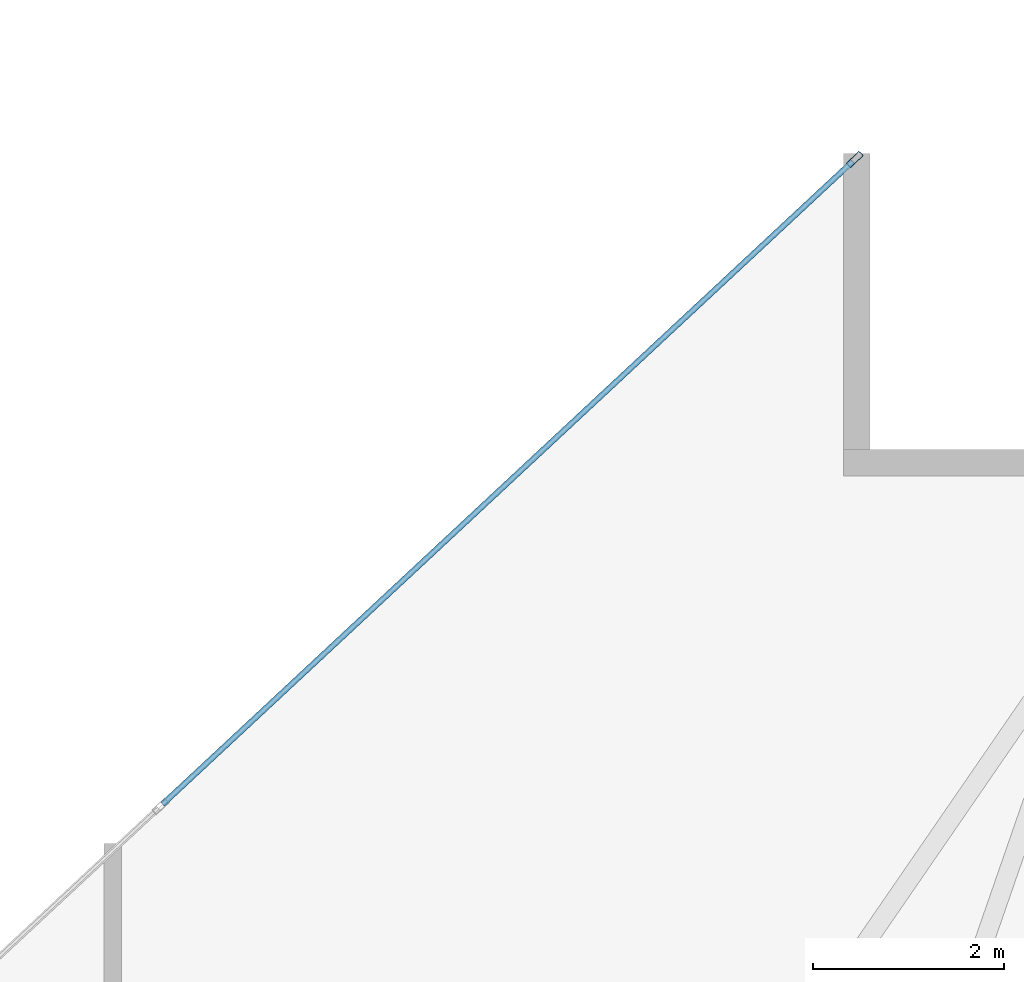
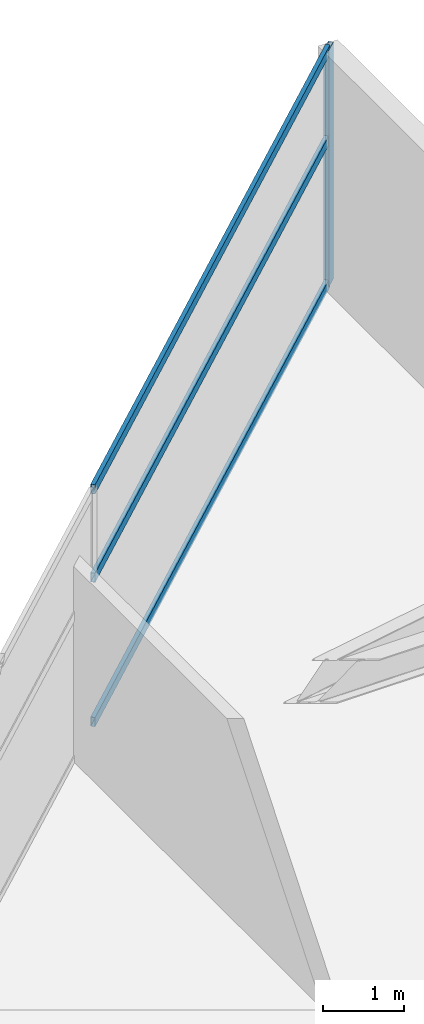
# One storey, part 20 of 27: 4 members, 1 element without a shape of its own.
"""IFC4 building model written with IfcOpenShell, lengths in metres."""

from ifc_helpers import new_model, si_unit, direction, frame, origin, origin_2d, place, context, subcontext, project, spatial, hollow_rectangle, extrude, material, layer, layer_set, material_profile, profile_set, type_object, element, aggregate, save


model = new_model("IFC4")

# Units and contexts
model_context = context("Model", 3, precision=1e-05, world=origin(), true_north=direction((0.0, 1.0)))
body_context = subcontext(model_context, "Body", "Model", "MODEL_VIEW")
ifc_project = project(units=[si_unit("LENGTHUNIT", "METRE"), si_unit("AREAUNIT", "SQUARE_METRE"), si_unit("VOLUMEUNIT", "CUBIC_METRE"), si_unit("PLANEANGLEUNIT", "RADIAN"), si_unit("MASSUNIT", "GRAM", prefix="KILO")], contexts=[model_context])

# Site, building, storey
site_placement = place(None, origin())
site = spatial("IfcSite", under=ifc_project, at=site_placement, CompositionType="ELEMENT")
building_placement = place(site_placement, origin())
building = spatial("IfcBuilding", under=site, at=building_placement, Name="Calvorn Quay Hotel", CompositionType="ELEMENT")
storey_placement = place(building_placement, frame((0.0, 0.0, 226.89990234375)))
storey = spatial("IfcBuildingStorey", under=building, at=storey_placement, Name="L56", CompositionType="ELEMENT", Elevation=226.89990234375)

# Curtain wall, members
ifc_material_1 = material(Name="Champagne Bronze Anodised Aluminium and Low-E Glass", Category="aluminium")
ifc_layer = layer(ifc_material_1, 0.219970703125)
ifc_layer_set = layer_set([ifc_layer], Name="CW-SYS-Z3")
curtain_wall_type = type_object("IfcCurtainWallType", Name="CW-SYS-Z3", PredefinedType="NOTDEFINED", material=ifc_layer_set)
curtain_wall_placement = place(storey_placement, origin())
curtain_wall = element("IfcCurtainWall", 1, at=curtain_wall_placement, inside=storey, type_object=curtain_wall_type, Name="Inner Court Curtain Wall L56-NE1", PredefinedType="NOTDEFINED")
ifc_material_2 = material(Name="Champagne Bronze Anodised Aluminium 6063-T6", Category="aluminium")
ifc_material_profile_1 = material_profile(ifc_material_2, hollow_rectangle(XDim=0.068115234375, YDim=0.18505859375, WallThickness=0.00390625, at=origin_2d()), Name="ALU-M185x68x4")
ifc_profile_set_1 = profile_set([ifc_material_profile_1], Name="Champagne Bronze Anodised Aluminium 6063-T6")
member_type_1 = type_object("IfcMemberType", Name="CW-SYS-Z3-MUL", PredefinedType="MULLION", material=ifc_profile_set_1)
member_1_placement = place(storey_placement, frame((36.177978515625, 37.9794921875, 0.0), z_axis=(0.0, 0.0, 1.0), x_axis=(0.681603655102, -0.731721570922, 0.0)))
member_1 = element("IfcMember", 2, at=member_1_placement, type_object=member_type_1, Name="CW-L56-NE1 mullion 1", PredefinedType="MULLION", context=body_context, shape_type="SweptSolid", body=[
    extrude(hollow_rectangle(XDim=0.068115234375, YDim=0.18505859375, WallThickness=0.00390625, at=origin_2d()), origin(), (0.0, 0.0, 1.0), 3.56005859375),
])
ifc_material_3 = material(Name="Champagne Bronze Anodised Aluminium 6063-T6", Category="aluminium")
ifc_material_profile_2 = material_profile(ifc_material_3, hollow_rectangle(XDim=0.05810546875, YDim=0.139892578125, WallThickness=0.003173828125, at=origin_2d()), Name="ALU-T140x58x3.2")
ifc_profile_set_2 = profile_set([ifc_material_profile_2], Name="Champagne Bronze Anodised Aluminium 6063-T6")
member_type_2 = type_object("IfcMemberType", Name="CW-SYS-Z3-TRN", PredefinedType="USERDEFINED", material=ifc_profile_set_2)
member_2_placement = place(storey_placement, frame((36.156005859375, 37.958984375, 0.030029296875), z_axis=(-0.731727475975, -0.681597315798, 0.0), x_axis=(0.681597315798, -0.731727475975, 0.0)))
member_2 = element("IfcMember", 3, at=member_2_placement, type_object=member_type_2, Name="CW-L56-NE1 transom 1.1", ObjectType="TRANSOM", PredefinedType="USERDEFINED", context=body_context, shape_type="SweptSolid", body=[
    extrude(hollow_rectangle(XDim=0.05810546875, YDim=0.139892578125, WallThickness=0.003173828125, at=origin_2d()), origin(), (0.0, 0.0, 1.0), 9.886474609375),
])
member_3_placement = place(storey_placement, frame((36.156005859375, 37.958984375, 2.2001953125), z_axis=(-0.731727475975, -0.681597315798, 0.0), x_axis=(0.681597315798, -0.731727475975, 0.0)))
member_3 = element("IfcMember", 4, at=member_3_placement, type_object=member_type_2, Name="CW-L56-NE1 transom 1.2", ObjectType="TRANSOM", PredefinedType="USERDEFINED", context=body_context, shape_type="SweptSolid", body=[
    extrude(hollow_rectangle(XDim=0.05810546875, YDim=0.139892578125, WallThickness=0.003173828125, at=origin_2d()), origin(), (0.0, 0.0, 1.0), 9.886474609375),
])
member_4_placement = place(storey_placement, frame((36.156005859375, 37.958984375, 3.530029296875), z_axis=(-0.731727475975, -0.681597315798, 0.0), x_axis=(0.681597315798, -0.731727475975, 0.0)))
member_4 = element("IfcMember", 5, at=member_4_placement, type_object=member_type_2, Name="CW-L56-NE1 transom 1.3", ObjectType="TRANSOM", PredefinedType="USERDEFINED", context=body_context, shape_type="SweptSolid", body=[
    extrude(hollow_rectangle(XDim=0.05810546875, YDim=0.139892578125, WallThickness=0.003173828125, at=origin_2d()), origin(), (0.0, 0.0, 1.0), 9.886474609375),
])
aggregate(curtain_wall, [member_1, member_2, member_3, member_4])

save(model, "model.ifc")
